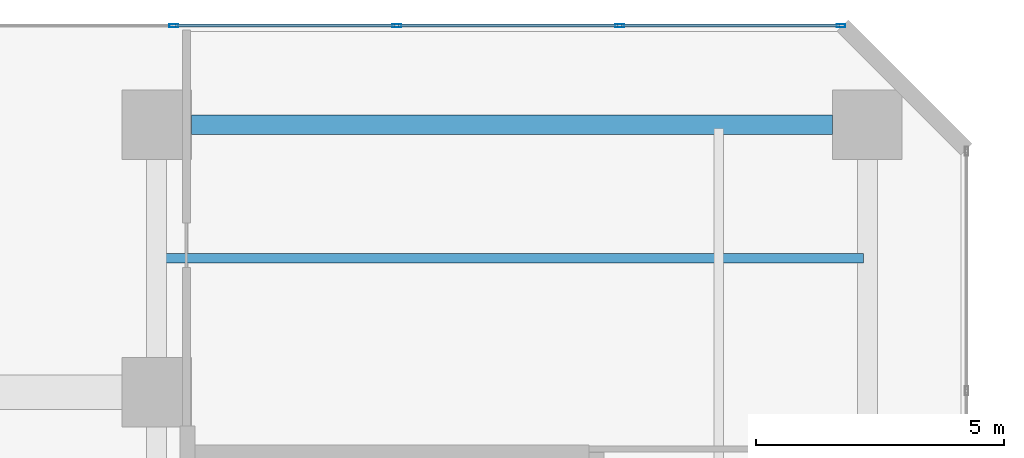
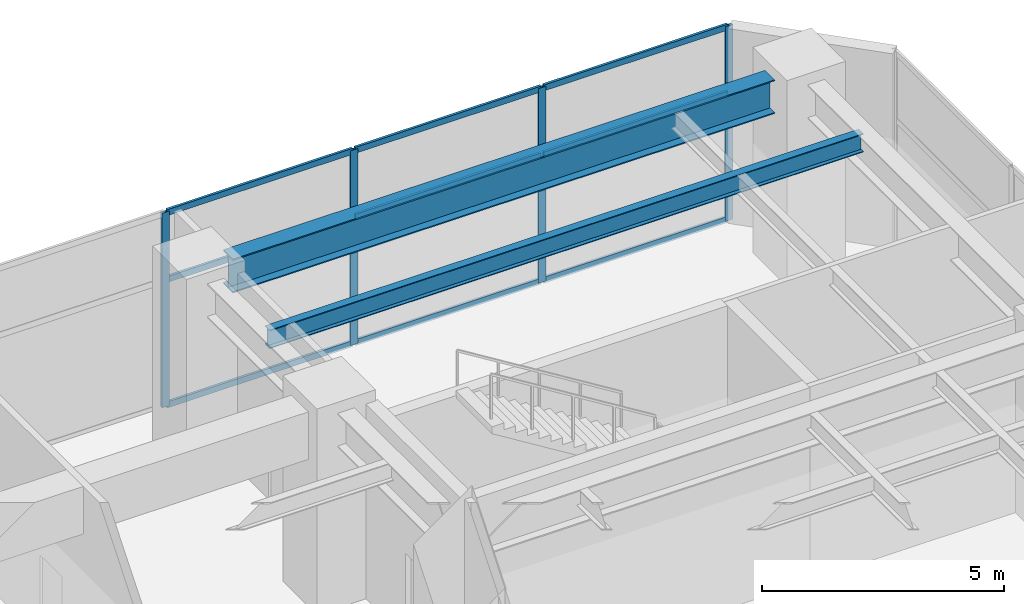
# One storey, part 7 of 22: 13 members, 2 beams, 1 element without a shape of its own.
"""IFC4 building model written with IfcOpenShell, lengths in metres."""

from ifc_helpers import new_model, si_unit, direction, frame, origin, origin_2d, place, context, subcontext, project, spatial, hollow_rectangle, i_section, extrude, material, layer, layer_set, material_profile, profile_set, type_object, element, aggregate, save


model = new_model("IFC4")

# Units and contexts
model_context = context("Model", 3, precision=1e-05, world=origin(), true_north=direction((0.0, 1.0)))
body_context = subcontext(model_context, "Body", "Model", "MODEL_VIEW")
ifc_project = project(units=[si_unit("LENGTHUNIT", "METRE"), si_unit("AREAUNIT", "SQUARE_METRE"), si_unit("VOLUMEUNIT", "CUBIC_METRE"), si_unit("PLANEANGLEUNIT", "RADIAN"), si_unit("MASSUNIT", "GRAM", prefix="KILO")], contexts=[model_context])

# Site, building, storey
site_placement = place(None, origin())
site = spatial("IfcSite", under=ifc_project, at=site_placement, CompositionType="ELEMENT")
building_placement = place(site_placement, origin())
building = spatial("IfcBuilding", under=site, at=building_placement, Name="Mawjaban Terraces University", CompositionType="ELEMENT")
storey_placement = place(building_placement, frame((0.0, 0.0, 10.39990234375)))
storey = spatial("IfcBuildingStorey", under=building, at=storey_placement, Name="L02", CompositionType="ELEMENT", Elevation=10.39990234375)

# Beams
ifc_material_1 = material(Name="Steel ASTM A572 Grade 50", Category="steel")
ifc_material_profile_1 = material_profile(ifc_material_1, i_section(OverallWidth=0.39990234375, OverallDepth=0.85498046875, WebThickness=0.018310546875, FlangeThickness=0.029296875, at=origin_2d()), Name="W840X299")
ifc_profile_set_1 = profile_set([ifc_material_profile_1], Name="Steel ASTM A572 Grade 50")
beam_type_1 = type_object("IfcBeamType", Name="Beam_B_W840X299", PredefinedType="BEAM", material=ifc_profile_set_1)
beam_1_placement = place(storey_placement, frame((38.35009765625, 52.0, 4.4931640625), z_axis=(1.0, 0.0, 0.0), x_axis=(0.0, 1.0, 0.0)))
element("IfcBeam", 1, at=beam_1_placement, inside=storey, type_object=beam_type_1, Name="L02 Beam BM-L02-EW-18", PredefinedType="BEAM", context=body_context, shape_type="SweptSolid", body=[
    extrude(i_section(OverallWidth=0.39990234375, OverallDepth=0.85498046875, WebThickness=0.018310546875, FlangeThickness=0.029296875, at=origin_2d()), origin(), (0.0, 0.0, 1.0), 12.949951171875),
])
ifc_material_profile_2 = material_profile(ifc_material_1, i_section(OverallWidth=0.194091796875, OverallDepth=0.468994140625, WebThickness=0.011474609375, FlangeThickness=0.0205078125, at=origin_2d()), Name="W460X106")
ifc_profile_set_2 = profile_set([ifc_material_profile_2], Name="Steel ASTM A572 Grade 50")
beam_type_2 = type_object("IfcBeamType", Name="Beam_J_W460X106", PredefinedType="JOIST", material=ifc_profile_set_2)
beam_2_placement = place(storey_placement, frame((37.72998046875, 49.300048828125, 4.68505859375), z_axis=(1.0, 0.0, 0.0), x_axis=(0.0, 1.0, 0.0)))
element("IfcBeam", 2, at=beam_2_placement, inside=storey, type_object=beam_type_2, Name="L02 Composite Joist JST-L02-25", PredefinedType="JOIST", context=body_context, shape_type="SweptSolid", body=[
    extrude(i_section(OverallWidth=0.194091796875, OverallDepth=0.468994140625, WebThickness=0.011474609375, FlangeThickness=0.0205078125, at=origin_2d()), origin(), (0.0, 0.0, 1.0), 14.18994140625),
])

# Curtain wall, members
ifc_material_2 = material(Name="Anodised aluminium 6063-T6 and solar-control low-E glass", Category="aluminium")
ifc_layer = layer(ifc_material_2, 0.179931640625)
ifc_layer_set = layer_set([ifc_layer], Name="Anodised aluminium 6063-T6 and solar-control low-E glass")
curtain_wall_type = type_object("IfcCurtainWallType", Name="CWSystem_01_PlazaFoyer", PredefinedType="NOTDEFINED", material=ifc_layer_set)
curtain_wall_placement = place(storey_placement, origin())
curtain_wall = element("IfcCurtainWall", 3, at=curtain_wall_placement, inside=storey, type_object=curtain_wall_type, Name="L02 Curtain Wall CW-01 Run 8.1", PredefinedType="NOTDEFINED")
ifc_material_3 = material(Name="Anodised aluminium 6063-T6", Category="aluminium")
ifc_material_profile_3 = material_profile(ifc_material_3, hollow_rectangle(XDim=0.06494140625, YDim=0.179931640625, WallThickness=0.00390625, at=origin_2d()), Name="ALU180X65X4")
ifc_profile_set_3 = profile_set([ifc_material_profile_3], Name="Anodised aluminium 6063-T6")
member_type_1 = type_object("IfcMemberType", Name="Mullion_CW-01", PredefinedType="MULLION", material=ifc_profile_set_3)
member_1_placement = place(storey_placement, frame((51.467529296875, 54.0, 0.0), z_axis=(0.0, 0.0, 1.0), x_axis=(0.0, -1.0, 0.0)))
member_1 = element("IfcMember", 4, at=member_1_placement, type_object=member_type_1, Name="CW-01 mullion 1", PredefinedType="MULLION", context=body_context, shape_type="SweptSolid", body=[
    extrude(hollow_rectangle(XDim=0.06494140625, YDim=0.179931640625, WallThickness=0.00390625, at=origin_2d()), origin(), (0.0, 0.0, 1.0), 4.920166015625),
])
member_2_placement = place(storey_placement, frame((47.0, 54.0, 0.0), z_axis=(0.0, 0.0, 1.0), x_axis=(0.0, -1.0, 0.0)))
member_2 = element("IfcMember", 5, at=member_2_placement, type_object=member_type_1, Name="CW-01 mullion 2", PredefinedType="MULLION", context=body_context, shape_type="SweptSolid", body=[
    extrude(hollow_rectangle(XDim=0.06494140625, YDim=0.179931640625, WallThickness=0.00390625, at=origin_2d()), origin(), (0.0, 0.0, 1.0), 4.920166015625),
])
member_3_placement = place(storey_placement, frame((42.5, 54.0, 0.0), z_axis=(0.0, 0.0, 1.0), x_axis=(0.0, -1.0, 0.0)))
member_3 = element("IfcMember", 6, at=member_3_placement, type_object=member_type_1, Name="CW-01 mullion 3", PredefinedType="MULLION", context=body_context, shape_type="SweptSolid", body=[
    extrude(hollow_rectangle(XDim=0.06494140625, YDim=0.179931640625, WallThickness=0.00390625, at=origin_2d()), origin(), (0.0, 0.0, 1.0), 4.920166015625),
])
member_4_placement = place(storey_placement, frame((38.0, 54.0, 0.0), z_axis=(0.0, 0.0, 1.0), x_axis=(0.0, -1.0, 0.0)))
member_4 = element("IfcMember", 7, at=member_4_placement, type_object=member_type_1, Name="CW-01 mullion 4", PredefinedType="MULLION", context=body_context, shape_type="SweptSolid", body=[
    extrude(hollow_rectangle(XDim=0.06494140625, YDim=0.179931640625, WallThickness=0.00390625, at=origin_2d()), origin(), (0.0, 0.0, 1.0), 4.920166015625),
])
ifc_material_profile_4 = material_profile(ifc_material_3, hollow_rectangle(XDim=0.06005859375, YDim=0.14990234375, WallThickness=0.00390625, at=origin_2d()), Name="ALU150X60X4")
ifc_profile_set_4 = profile_set([ifc_material_profile_4], Name="Anodised aluminium 6063-T6")
member_type_2 = type_object("IfcMemberType", Name="Transom_CW-01", PredefinedType="NOTDEFINED", material=ifc_profile_set_4)
member_5_placement = place(storey_placement, frame((51.43505859375, 54.0, 0.030029296875), z_axis=(-1.0, 0.0, 0.0), x_axis=(0.0, -1.0, 0.0)))
member_5 = element("IfcMember", 8, at=member_5_placement, type_object=member_type_2, Name="CW-01 transom 1.1", ObjectType="TRANSOM", PredefinedType="USERDEFINED", context=body_context, shape_type="SweptSolid", body=[
    extrude(hollow_rectangle(XDim=0.06005859375, YDim=0.14990234375, WallThickness=0.00390625, at=origin_2d()), origin(), (0.0, 0.0, 1.0), 4.402587890625),
])
member_6_placement = place(storey_placement, frame((51.43505859375, 54.0, 3.197998046875), z_axis=(-1.0, 0.0, 0.0), x_axis=(0.0, -1.0, 0.0)))
member_6 = element("IfcMember", 9, at=member_6_placement, type_object=member_type_2, Name="CW-01 transom 1.2", ObjectType="TRANSOM", PredefinedType="USERDEFINED", context=body_context, shape_type="SweptSolid", body=[
    extrude(hollow_rectangle(XDim=0.06005859375, YDim=0.14990234375, WallThickness=0.00390625, at=origin_2d()), origin(), (0.0, 0.0, 1.0), 4.402587890625),
])
member_7_placement = place(storey_placement, frame((51.43505859375, 54.0, 4.89013671875), z_axis=(-1.0, 0.0, 0.0), x_axis=(0.0, -1.0, 0.0)))
member_7 = element("IfcMember", 10, at=member_7_placement, type_object=member_type_2, Name="CW-01 transom 1.3", ObjectType="TRANSOM", PredefinedType="USERDEFINED", context=body_context, shape_type="SweptSolid", body=[
    extrude(hollow_rectangle(XDim=0.06005859375, YDim=0.14990234375, WallThickness=0.00390625, at=origin_2d()), origin(), (0.0, 0.0, 1.0), 4.402587890625),
])
member_8_placement = place(storey_placement, frame((46.967529296875, 54.0, 0.030029296875), z_axis=(-1.0, 0.0, 0.0), x_axis=(0.0, -1.0, 0.0)))
member_8 = element("IfcMember", 11, at=member_8_placement, type_object=member_type_2, Name="CW-01 transom 2.1", ObjectType="TRANSOM", PredefinedType="USERDEFINED", context=body_context, shape_type="SweptSolid", body=[
    extrude(hollow_rectangle(XDim=0.06005859375, YDim=0.14990234375, WallThickness=0.00390625, at=origin_2d()), origin(), (0.0, 0.0, 1.0), 4.43505859375),
])
member_9_placement = place(storey_placement, frame((46.967529296875, 54.0, 3.197998046875), z_axis=(-1.0, 0.0, 0.0), x_axis=(0.0, -1.0, 0.0)))
member_9 = element("IfcMember", 12, at=member_9_placement, type_object=member_type_2, Name="CW-01 transom 2.2", ObjectType="TRANSOM", PredefinedType="USERDEFINED", context=body_context, shape_type="SweptSolid", body=[
    extrude(hollow_rectangle(XDim=0.06005859375, YDim=0.14990234375, WallThickness=0.00390625, at=origin_2d()), origin(), (0.0, 0.0, 1.0), 4.43505859375),
])
member_10_placement = place(storey_placement, frame((46.967529296875, 54.0, 4.89013671875), z_axis=(-1.0, 0.0, 0.0), x_axis=(0.0, -1.0, 0.0)))
member_10 = element("IfcMember", 13, at=member_10_placement, type_object=member_type_2, Name="CW-01 transom 2.3", ObjectType="TRANSOM", PredefinedType="USERDEFINED", context=body_context, shape_type="SweptSolid", body=[
    extrude(hollow_rectangle(XDim=0.06005859375, YDim=0.14990234375, WallThickness=0.00390625, at=origin_2d()), origin(), (0.0, 0.0, 1.0), 4.43505859375),
])
member_11_placement = place(storey_placement, frame((42.467529296875, 54.0, 0.030029296875), z_axis=(-1.0, 0.0, 0.0), x_axis=(0.0, -1.0, 0.0)))
member_11 = element("IfcMember", 14, at=member_11_placement, type_object=member_type_2, Name="CW-01 transom 3.1", ObjectType="TRANSOM", PredefinedType="USERDEFINED", context=body_context, shape_type="SweptSolid", body=[
    extrude(hollow_rectangle(XDim=0.06005859375, YDim=0.14990234375, WallThickness=0.00390625, at=origin_2d()), origin(), (0.0, 0.0, 1.0), 4.43505859375),
])
member_12_placement = place(storey_placement, frame((42.467529296875, 54.0, 3.197998046875), z_axis=(-1.0, 0.0, 0.0), x_axis=(0.0, -1.0, 0.0)))
member_12 = element("IfcMember", 15, at=member_12_placement, type_object=member_type_2, Name="CW-01 transom 3.2", ObjectType="TRANSOM", PredefinedType="USERDEFINED", context=body_context, shape_type="SweptSolid", body=[
    extrude(hollow_rectangle(XDim=0.06005859375, YDim=0.14990234375, WallThickness=0.00390625, at=origin_2d()), origin(), (0.0, 0.0, 1.0), 4.43505859375),
])
member_13_placement = place(storey_placement, frame((42.467529296875, 54.0, 4.89013671875), z_axis=(-1.0, 0.0, 0.0), x_axis=(0.0, -1.0, 0.0)))
member_13 = element("IfcMember", 16, at=member_13_placement, type_object=member_type_2, Name="CW-01 transom 3.3", ObjectType="TRANSOM", PredefinedType="USERDEFINED", context=body_context, shape_type="SweptSolid", body=[
    extrude(hollow_rectangle(XDim=0.06005859375, YDim=0.14990234375, WallThickness=0.00390625, at=origin_2d()), origin(), (0.0, 0.0, 1.0), 4.43505859375),
])
aggregate(curtain_wall, [member_1, member_2, member_3, member_4, member_5, member_6, member_7, member_8, member_9, member_10, member_11, member_12, member_13])

save(model, "model.ifc")
